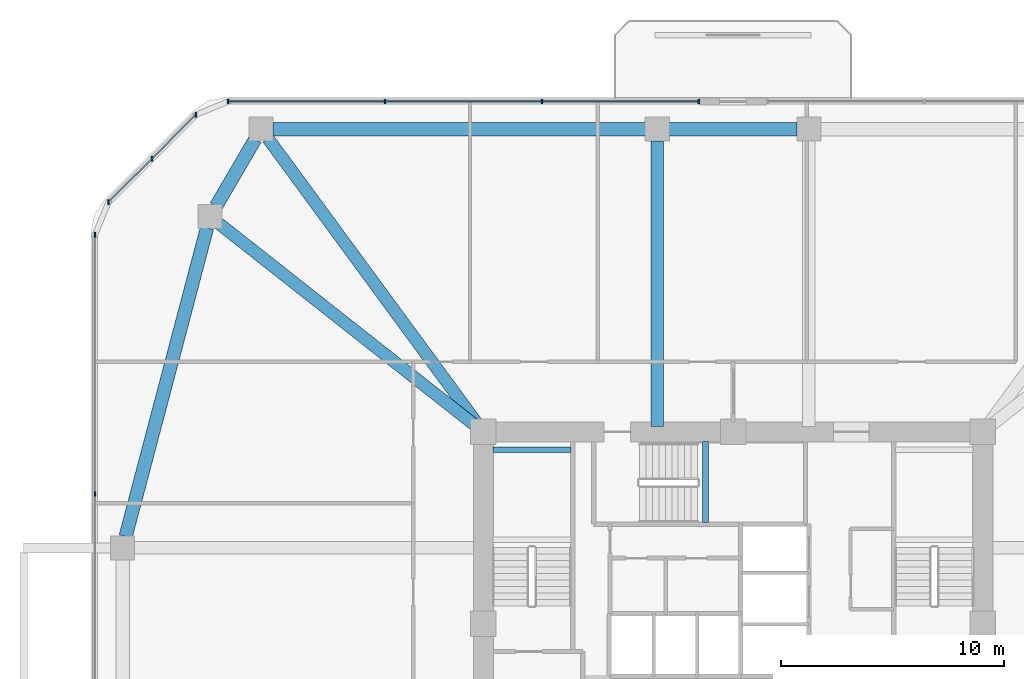
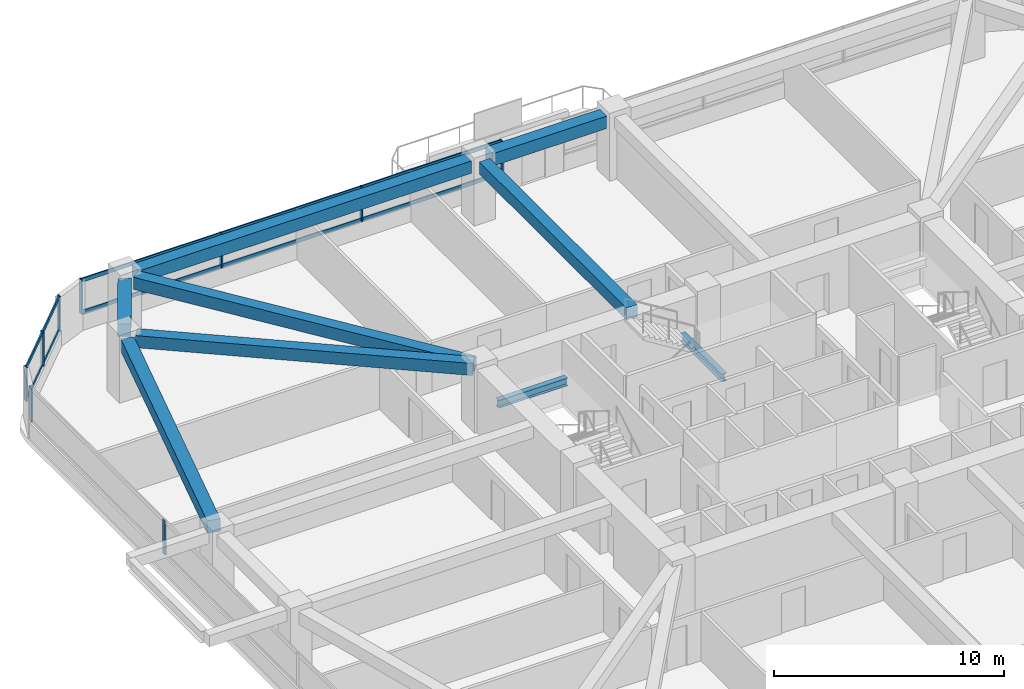
# One storey, part 6 of 13: 13 members, 9 beams, 3 elements without a shape of their own.
"""IFC4 building model written with IfcOpenShell, lengths in metres."""

from ifc_helpers import new_model, si_unit, derived_unit, direction, frame, origin, origin_2d, place, context, subcontext, project, spatial, rectangle, i_section, extrude, material, material_profile, profile_set, type_object, element, aggregate, save


model = new_model("IFC4")

# Units and contexts
model_context = context("Model", 3, precision=1e-05, world=origin(), true_north=direction((0.0, 1.0)))
body_context = subcontext(model_context, "Body", "Model", "MODEL_VIEW")
ifc_project = project(units=[si_unit("LENGTHUNIT", "METRE"), si_unit("AREAUNIT", "SQUARE_METRE"), si_unit("VOLUMEUNIT", "CUBIC_METRE"), si_unit("PLANEANGLEUNIT", "RADIAN"), si_unit("MASSUNIT", "GRAM", prefix="KILO"), derived_unit("THERMALTRANSMITTANCEUNIT", [(si_unit("POWERUNIT", "WATT"), 1), (si_unit("LENGTHUNIT", "METRE"), -2), (si_unit("THERMODYNAMICTEMPERATUREUNIT", "KELVIN"), -1)])], contexts=[model_context])

# Site, building, storey
site_placement = place(None, origin())
site = spatial("IfcSite", under=ifc_project, at=site_placement, CompositionType="ELEMENT")
building_placement = place(site_placement, origin())
building = spatial("IfcBuilding", under=site, at=building_placement, Name="Koralith Skygarden Medical Center", CompositionType="ELEMENT")
storey_placement = place(building_placement, frame((0.0, 0.0, 59.93994140625)))
storey = spatial("IfcBuildingStorey", under=building, at=storey_placement, Name="L15", CompositionType="ELEMENT", Elevation=59.93994140625)

# Curtain wall, members
ifc_material_1 = material(Name="Clear Laminated Glass", Category="glass")
curtain_wall_type = type_object("IfcCurtainWallType", Name="CW-2 Zone 1 Hurricane Unitised Curtain Wall", PredefinedType="NOTDEFINED", material=ifc_material_1)
curtain_wall_1_placement = place(storey_placement, origin())
curtain_wall_1 = element("IfcCurtainWall", 1, at=curtain_wall_1_placement, inside=storey, type_object=curtain_wall_type, Name="Curtain Wall CW-L15-N-R", PredefinedType="NOTDEFINED")
ifc_material_2 = material(Name="Aluminium 6063-T6", Category="aluminium")
ifc_material_profile_1 = material_profile(ifc_material_2, rectangle(XDim=0.071044921875, YDim=0.219970703125, at=origin_2d()), Name="MUL71X220")
ifc_profile_set_1 = profile_set([ifc_material_profile_1], Name="Aluminium 6063-T6")
member_type_1 = type_object("IfcMemberType", Name="CW-2 Extruded Mullion 71x220", PredefinedType="MULLION", material=ifc_profile_set_1)
member_1_placement = place(storey_placement, frame((35.4599609375, 49.320068359375, 0.85009765625), z_axis=(0.0, 0.0, 1.0), x_axis=(1.0, 0.0, 0.0)))
member_1 = element("IfcMember", 2, at=member_1_placement, type_object=member_type_1, Name="CW-L15-N-R Mullion 1", PredefinedType="MULLION", context=body_context, shape_type="SweptSolid", body=[
    extrude(rectangle(XDim=0.071044921875, YDim=0.219970703125, at=origin_2d()), origin(), (0.0, 0.0, 1.0), 1.800048828125),
])
member_2_placement = place(storey_placement, frame((28.425048828125, 49.320068359375, 0.85009765625), z_axis=(0.0, 0.0, 1.0), x_axis=(1.0, 0.0, 0.0)))
member_2 = element("IfcMember", 3, at=member_2_placement, type_object=member_type_1, Name="CW-L15-N-R Mullion 2", PredefinedType="MULLION", context=body_context, shape_type="SweptSolid", body=[
    extrude(rectangle(XDim=0.071044921875, YDim=0.219970703125, at=origin_2d()), origin(), (0.0, 0.0, 1.0), 1.800048828125),
])
member_3_placement = place(storey_placement, frame((21.389892578125, 49.320068359375, 0.85009765625), z_axis=(0.0, 0.0, 1.0), x_axis=(1.0, 0.0, 0.0)))
member_3 = element("IfcMember", 4, at=member_3_placement, type_object=member_type_1, Name="CW-L15-N-R Mullion 3", PredefinedType="MULLION", context=body_context, shape_type="SweptSolid", body=[
    extrude(rectangle(XDim=0.071044921875, YDim=0.219970703125, at=origin_2d()), origin(), (0.0, 0.0, 1.0), 1.800048828125),
])
member_4_placement = place(storey_placement, frame((14.35498046875, 49.320068359375, 0.85009765625), z_axis=(0.0, 0.0, 1.0), x_axis=(1.0, 0.0, 0.0)))
member_4 = element("IfcMember", 5, at=member_4_placement, type_object=member_type_1, Name="CW-L15-N-R Mullion 4", PredefinedType="MULLION", context=body_context, shape_type="SweptSolid", body=[
    extrude(rectangle(XDim=0.071044921875, YDim=0.219970703125, at=origin_2d()), origin(), (0.0, 0.0, 1.0), 1.800048828125),
])

curtain_wall_2_placement = place(storey_placement, origin())
curtain_wall_2 = element("IfcCurtainWall", 6, at=curtain_wall_2_placement, inside=storey, type_object=curtain_wall_type, Name="Curtain Wall CW-L15-NW", PredefinedType="NOTDEFINED")
member_5_placement = place(storey_placement, frame((12.904052734375, 48.718994140625, 0.85009765625), z_axis=(0.0, 0.0, 1.0), x_axis=(1.0, 0.0, 0.0)))
member_5 = element("IfcMember", 7, at=member_5_placement, type_object=member_type_1, Name="CW-L15-NW Mullion 1", PredefinedType="MULLION", context=body_context, shape_type="SweptSolid", body=[
    extrude(rectangle(XDim=0.071044921875, YDim=0.219970703125, at=origin_2d()), origin(), (0.0, 0.0, 1.0), 1.800048828125),
])
member_6_placement = place(storey_placement, frame((10.94189453125, 46.758056640625, 0.85009765625), z_axis=(0.0, 0.0, 1.0), x_axis=(1.0, 0.0, 0.0)))
member_6 = element("IfcMember", 8, at=member_6_placement, type_object=member_type_1, Name="CW-L15-NW Mullion 2", PredefinedType="MULLION", context=body_context, shape_type="SweptSolid", body=[
    extrude(rectangle(XDim=0.071044921875, YDim=0.219970703125, at=origin_2d()), origin(), (0.0, 0.0, 1.0), 1.800048828125),
])
member_7_placement = place(storey_placement, frame((8.98095703125, 44.7958984375, 0.85009765625), z_axis=(0.0, 0.0, 1.0), x_axis=(1.0, 0.0, 0.0)))
member_7 = element("IfcMember", 9, at=member_7_placement, type_object=member_type_1, Name="CW-L15-NW Mullion 3", PredefinedType="MULLION", context=body_context, shape_type="SweptSolid", body=[
    extrude(rectangle(XDim=0.071044921875, YDim=0.219970703125, at=origin_2d()), origin(), (0.0, 0.0, 1.0), 1.800048828125),
])

curtain_wall_3_placement = place(storey_placement, origin())
curtain_wall_3 = element("IfcCurtainWall", 10, at=curtain_wall_3_placement, inside=storey, type_object=curtain_wall_type, Name="Curtain Wall CW-L15-W", PredefinedType="NOTDEFINED")
member_8_placement = place(storey_placement, frame((8.3798828125, 43.344970703125, 0.85009765625), z_axis=(0.0, 0.0, 1.0), x_axis=(1.0, 0.0, 0.0)))
member_8 = element("IfcMember", 11, at=member_8_placement, type_object=member_type_1, Name="CW-L15-W Mullion 1", PredefinedType="MULLION", context=body_context, shape_type="SweptSolid", body=[
    extrude(rectangle(XDim=0.071044921875, YDim=0.219970703125, at=origin_2d()), origin(), (0.0, 0.0, 1.0), 1.800048828125),
])
member_9_placement = place(storey_placement, frame((8.3798828125, 31.715087890625, 0.85009765625), z_axis=(0.0, 0.0, 1.0), x_axis=(1.0, 0.0, 0.0)))
member_9 = element("IfcMember", 12, at=member_9_placement, type_object=member_type_1, Name="CW-L15-W Mullion 2", PredefinedType="MULLION", context=body_context, shape_type="SweptSolid", body=[
    extrude(rectangle(XDim=0.071044921875, YDim=0.219970703125, at=origin_2d()), origin(), (0.0, 0.0, 1.0), 1.800048828125),
])
aggregate(curtain_wall_3, [member_8, member_9])

# Member
ifc_material_profile_2 = material_profile(ifc_material_2, rectangle(XDim=0.06591796875, YDim=0.197998046875, at=origin_2d()), Name="TRN66X198")
ifc_profile_set_2 = profile_set([ifc_material_profile_2], Name="Aluminium 6063-T6")
member_type_2 = type_object("IfcMemberType", Name="CW-2 Thermal Transom 66x198", PredefinedType="USERDEFINED", material=ifc_profile_set_2)
member_10_placement = place(storey_placement, frame((35.4599609375, 49.320068359375, 0.900146484375), z_axis=(-1.0, 0.0, 0.0), x_axis=(0.0, -1.0, 0.0)))
member_10 = element("IfcMember", 13, at=member_10_placement, type_object=member_type_2, Name="CW-L15-N-R Transom 1", ObjectType="TRANSOM", PredefinedType="USERDEFINED", context=body_context, shape_type="SweptSolid", body=[
    extrude(rectangle(XDim=0.06591796875, YDim=0.197998046875, at=origin_2d()), origin(), (0.0, 0.0, 1.0), 21.10498046875),
])

member_11_placement = place(storey_placement, frame((35.4599609375, 49.320068359375, 2.60009765625), z_axis=(-1.0, 0.0, 0.0), x_axis=(0.0, -1.0, 0.0)))
member_11 = element("IfcMember", 14, at=member_11_placement, type_object=member_type_2, Name="CW-L15-N-R Transom 2", ObjectType="TRANSOM", PredefinedType="USERDEFINED", context=body_context, shape_type="SweptSolid", body=[
    extrude(rectangle(XDim=0.06591796875, YDim=0.197998046875, at=origin_2d()), origin(), (0.0, 0.0, 1.0), 21.10498046875),
])

aggregate(curtain_wall_1, [member_1, member_2, member_3, member_4, member_10, member_11])

member_12_placement = place(storey_placement, frame((12.904052734375, 48.718994140625, 0.900146484375), z_axis=(-0.707106781187, -0.707106781187, 0.0), x_axis=(0.707106781187, -0.707106781187, 0.0)))
member_12 = element("IfcMember", 15, at=member_12_placement, type_object=member_type_2, Name="CW-L15-NW Transom 1", ObjectType="TRANSOM", PredefinedType="USERDEFINED", context=body_context, shape_type="SweptSolid", body=[
    extrude(rectangle(XDim=0.06591796875, YDim=0.197998046875, at=origin_2d()), origin(), (0.0, 0.0, 1.0), 5.548095703125),
])

member_13_placement = place(storey_placement, frame((12.904052734375, 48.718994140625, 2.60009765625), z_axis=(-0.707106781187, -0.707106781187, 0.0), x_axis=(0.707106781187, -0.707106781187, 0.0)))
member_13 = element("IfcMember", 16, at=member_13_placement, type_object=member_type_2, Name="CW-L15-NW Transom 2", ObjectType="TRANSOM", PredefinedType="USERDEFINED", context=body_context, shape_type="SweptSolid", body=[
    extrude(rectangle(XDim=0.06591796875, YDim=0.197998046875, at=origin_2d()), origin(), (0.0, 0.0, 1.0), 5.548095703125),
])

aggregate(curtain_wall_2, [member_5, member_6, member_7, member_12, member_13])

# Beams
ifc_material_3 = material(Name="Steel ASTM A992 Grade 50", Category="steel")
ifc_material_profile_3 = material_profile(ifc_material_3, i_section(OverallWidth=0.260009765625, OverallDepth=0.4150390625, WebThickness=0.010009765625, FlangeThickness=0.016845703125, at=origin_2d()), Name="W16X67")
ifc_profile_set_3 = profile_set([ifc_material_profile_3], Name="Steel ASTM A992 Grade 50")
beam_type_1 = type_object("IfcBeamType", Name="Clinical Floor Joist W16X67", PredefinedType="JOIST", material=ifc_profile_set_3)
beam_1_placement = place(storey_placement, frame((26.22998046875, 33.699951171875, 1.39208984375), z_axis=(1.0, 0.0, 0.0), x_axis=(0.0, 1.0, 0.0)))
element("IfcBeam", 17, at=beam_1_placement, inside=storey, type_object=beam_type_1, Name="L15 Stair ST1 Half-Landing Support Beam 1B", PredefinedType="JOIST", context=body_context, shape_type="SweptSolid", body=[
    extrude(i_section(OverallWidth=0.260009765625, OverallDepth=0.4150390625, WebThickness=0.010009765625, FlangeThickness=0.016845703125, at=origin_2d()), origin(), (0.0, 0.0, 1.0), 3.489990234375),
])
beam_2_placement = place(storey_placement, frame((35.760009765625, 30.43994140625, 1.39208984375), z_axis=(0.0, 1.0, 0.0), x_axis=(-1.0, 0.0, 0.0)))
element("IfcBeam", 18, at=beam_2_placement, inside=storey, type_object=beam_type_1, Name="L15 Stair ST3 Half-Landing Support Beam 1A", PredefinedType="JOIST", context=body_context, shape_type="SweptSolid", body=[
    extrude(i_section(OverallWidth=0.260009765625, OverallDepth=0.4150390625, WebThickness=0.010009765625, FlangeThickness=0.016845703125, at=origin_2d()), origin(), (0.0, 0.0, 1.0), 3.630126953125),
])
ifc_material_4 = material(Name="Concrete C45/55", Category="concrete")
ifc_material_profile_4 = material_profile(ifc_material_4, rectangle(XDim=0.550048828125, YDim=0.639892578125, at=origin_2d()), Name="RCB550X640")
ifc_profile_set_4 = profile_set([ifc_material_profile_4], Name="Concrete C45/55")
beam_type_2 = type_object("IfcBeamType", Name="Radial Collector Beam RCB550X640", PredefinedType="BEAM", material=ifc_profile_set_4)
beam_3_placement = place(storey_placement, frame((33.60009765625, 34.75, 3.0), z_axis=(0.0, 1.0, 0.0), x_axis=(-1.0, 0.0, 0.0)))
element("IfcBeam", 19, at=beam_3_placement, inside=storey, type_object=beam_type_2, Name="L15 Radial Collector Beam RB-13", PredefinedType="BEAM", context=body_context, shape_type="SweptSolid", body=[
    extrude(rectangle(XDim=0.550048828125, YDim=0.639892578125, at=origin_2d()), origin(), (0.0, 0.0, 1.0), 12.800048828125),
])
beam_4_placement = place(storey_placement, frame((25.652099609375, 34.701904296875, 3.0), z_axis=(-0.591710803277, 0.806150311843, 0.0), x_axis=(-0.806150311843, -0.591710803277, 0.0)))
element("IfcBeam", 20, at=beam_4_placement, inside=storey, type_object=beam_type_2, Name="L15 Radial Collector Beam RB-14", PredefinedType="BEAM", context=body_context, shape_type="SweptSolid", body=[
    extrude(rectangle(XDim=0.550048828125, YDim=0.639892578125, at=origin_2d()), origin(), (0.0, 0.0, 1.0), 16.0654296875),
])
beam_5_placement = place(storey_placement, frame((25.60400390625, 34.655029296875, 3.0), z_axis=(-0.785497250365, 0.618865146594, 0.0), x_axis=(-0.618865146594, -0.785497250365, 0.0)))
element("IfcBeam", 21, at=beam_5_placement, inside=storey, type_object=beam_type_2, Name="L15 Radial Collector Beam RB-15", PredefinedType="BEAM", context=body_context, shape_type="SweptSolid", body=[
    extrude(rectangle(XDim=0.550048828125, YDim=0.639892578125, at=origin_2d()), origin(), (0.0, 0.0, 1.0), 14.828857421875),
])
ifc_material_profile_5 = material_profile(ifc_material_4, rectangle(XDim=0.60009765625, YDim=0.659912109375, at=origin_2d()), Name="RCB600X660")
ifc_profile_set_5 = profile_set([ifc_material_profile_5], Name="Concrete C45/55")
beam_type_3 = type_object("IfcBeamType", Name="Zone 1 Spandrel Beam RCB600X660", PredefinedType="SPANDREL", material=ifc_profile_set_5)
beam_6_placement = place(storey_placement, frame((39.8701171875, 48.080078125, 2.989990234375), z_axis=(-1.0, 0.0, 0.0), x_axis=(0.0, -1.0, 0.0)))
element("IfcBeam", 22, at=beam_6_placement, inside=storey, type_object=beam_type_3, Name="L15 Perimeter Spandrel Beam SP-12", PredefinedType="SPANDREL", context=body_context, shape_type="SweptSolid", body=[
    extrude(rectangle(XDim=0.60009765625, YDim=0.659912109375, at=origin_2d()), origin(), (0.0, 0.0, 1.0), 5.740234375),
])
beam_7_placement = place(storey_placement, frame((33.070068359375, 48.080078125, 2.989990234375), z_axis=(-1.0, 0.0, 0.0), x_axis=(0.0, -1.0, 0.0)))
element("IfcBeam", 23, at=beam_7_placement, inside=storey, type_object=beam_type_3, Name="L15 Perimeter Spandrel Beam SP-13", PredefinedType="SPANDREL", context=body_context, shape_type="SweptSolid", body=[
    extrude(rectangle(XDim=0.60009765625, YDim=0.659912109375, at=origin_2d()), origin(), (0.0, 0.0, 1.0), 16.7080078125),
])
beam_8_placement = place(storey_placement, frame((15.56396484375, 47.6220703125, 2.989990234375), z_axis=(-0.504608092658, -0.863348523381, 0.0), x_axis=(0.863348523381, -0.504608092658, 0.0)))
element("IfcBeam", 24, at=beam_8_placement, inside=storey, type_object=beam_type_3, Name="L15 Perimeter Spandrel Beam SP-14", PredefinedType="SPANDREL", context=body_context, shape_type="SweptSolid", body=[
    extrude(rectangle(XDim=0.60009765625, YDim=0.659912109375, at=origin_2d()), origin(), (0.0, 0.0, 1.0), 3.479736328125),
])
beam_9_placement = place(storey_placement, frame((13.405029296875, 43.64794921875, 2.989990234375), z_axis=(-0.255088684842, -0.966917660851, 0.0), x_axis=(0.966917660851, -0.255088684842, 0.0)))
element("IfcBeam", 25, at=beam_9_placement, inside=storey, type_object=beam_type_3, Name="L15 Perimeter Spandrel Beam SP-15", PredefinedType="SPANDREL", context=body_context, shape_type="SweptSolid", body=[
    extrude(rectangle(XDim=0.60009765625, YDim=0.659912109375, at=origin_2d()), origin(), (0.0, 0.0, 1.0), 14.309326171875),
])

save(model, "model.ifc")
